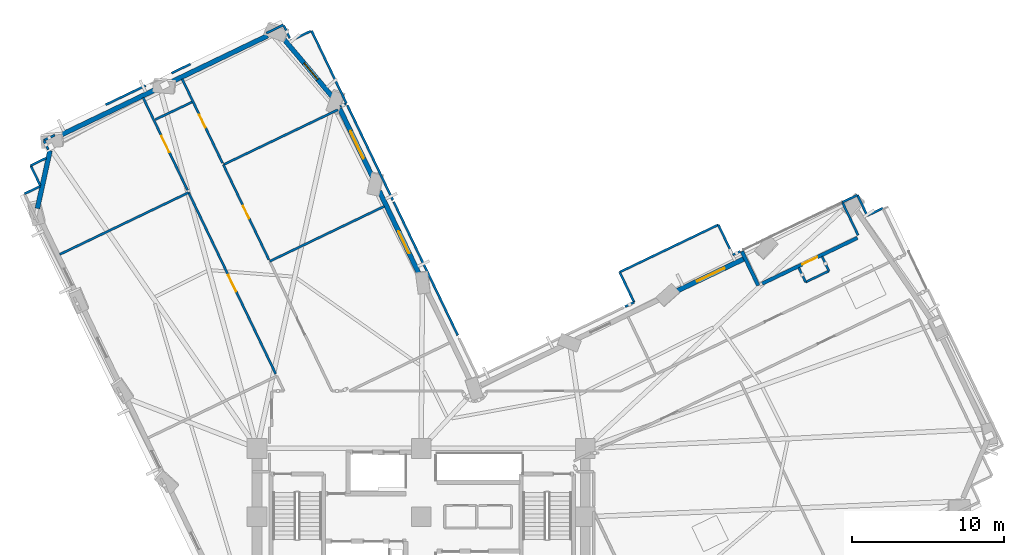
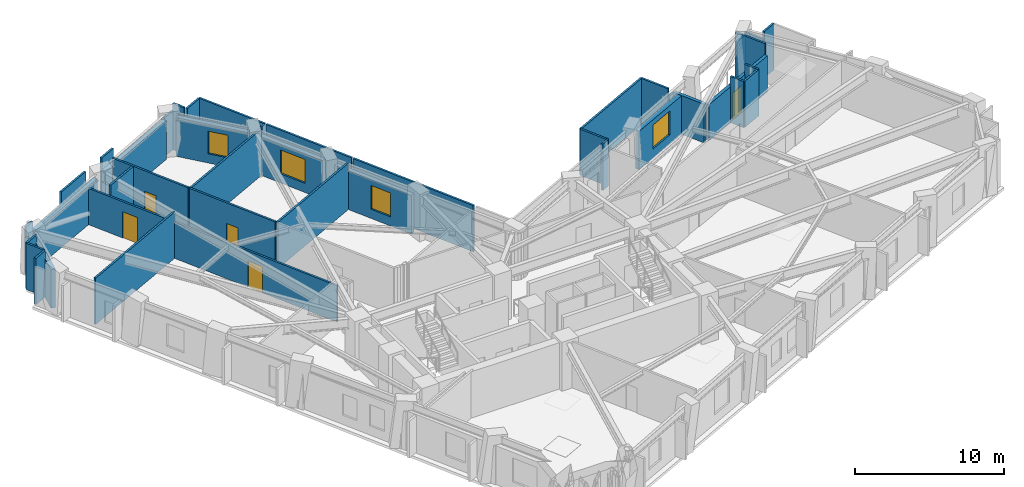
# One storey, part 10 of 16: 43 walls, 5 doors, 4 windows, 9 openings.
"""IFC4 building model written with IfcOpenShell, lengths in metres."""

from ifc_helpers import new_model, si_unit, direction, frame, frame_2d, origin, place, context, subcontext, project, spatial, rectangle, extrude, material, layer, layer_set, type_object, element, fill, save


model = new_model("IFC4")

# Units and contexts
model_context = context("Model", 3, precision=1e-05, world=origin(), true_north=direction((0.0, 1.0)))
body_context = subcontext(model_context, "Body", "Model", "MODEL_VIEW")
ifc_project = project(units=[si_unit("LENGTHUNIT", "METRE"), si_unit("AREAUNIT", "SQUARE_METRE"), si_unit("VOLUMEUNIT", "CUBIC_METRE"), si_unit("PLANEANGLEUNIT", "RADIAN"), si_unit("MASSUNIT", "GRAM", prefix="KILO")], contexts=[model_context])

# Site, building, storey
site_placement = place(None, origin())
site = spatial("IfcSite", under=ifc_project, at=site_placement, CompositionType="ELEMENT")
building_placement = place(site_placement, origin())
building = spatial("IfcBuilding", under=site, at=building_placement, Name="Gaonmaruhae Medical Tower", CompositionType="ELEMENT")
storey_placement = place(building_placement, frame((0.0, 0.0, 132.39990234375)))
storey = spatial("IfcBuildingStorey", under=building, at=storey_placement, Name="L31", CompositionType="ELEMENT", Elevation=132.39990234375)

# Wall, opening, door
ifc_material_1 = material(Name="Precast concrete C45/55", Category="concrete")
ifc_layer_1 = layer(ifc_material_1, 0.239990234375)
ifc_layer_set_1 = layer_set([ifc_layer_1], Name="Precast concrete C45/55")
wall_type_1 = type_object("IfcWallType", Name="EW-240 Ribbon & Shelter Insulated Precast Wall", PredefinedType="SOLIDWALL", material=ifc_layer_set_1)
wall_1_placement = place(storey_placement, frame((47.2333984375, 27.6416015625, 0.0), z_axis=(0.0, 0.0, 1.0), x_axis=(0.901461742276, 0.432858784376, 0.0)))
wall_1 = element("IfcWall", 1, at=wall_1_placement, inside=storey, type_object=wall_type_1, Name="L31 Recessed Terrace Enclosure Wall TERB", PredefinedType="SOLIDWALL", context=body_context, shape_type="SweptSolid", body=[
    extrude(rectangle(XDim=6.9599609375, YDim=0.239990234375, at=frame_2d((3.47998046875, 0.0))), origin(), (0.0, 0.0, 1.0), 2.945068359375),
])
opening_1_placement = place(wall_1_placement, frame((2.929931640625, 0.0, 0.0)))
opening_1 = element("IfcOpeningElement", 2, at=opening_1_placement, cuts=wall_1, Name="Opening TD-01", PredefinedType="OPENING", context=body_context, shape_type="SweptSolid", body=[
    extrude(rectangle(XDim=1.10009765625, YDim=2.14990234375, at=frame_2d((0.550048828125, 1.074951171875))), frame((0.0, 0.1298828125, 0.0), z_axis=(0.0, -1.0, 0.0), x_axis=(1.0, 0.0, 0.0)), (0.0, 0.0, 1.0), 0.260009765625),
])
ifc_material_2 = material(Name="Anodised aluminium and toughened safety glass", Category="aluminium")
door_type_1 = type_object("IfcDoorType", Name="TD-01 Terrace & Sky Garden Glazed Door 1100x2150", OperationType="NOTDEFINED", PredefinedType="DOOR", material=ifc_material_2)
door_1_placement = place(opening_1_placement, origin())
door_1 = element("IfcDoor", 3, at=door_1_placement, inside=storey, type_object=door_type_1, Name="L31 Outdoor Terrace Access Door SLB-L31-TER", OperationType="SINGLE_SWING_LEFT", OverallHeight=2.14990234375, OverallWidth=1.10009765625, PredefinedType="DOOR", context=body_context, shape_type="SweptSolid", body=[
    extrude(rectangle(XDim=1.10009765625, YDim=2.14990234375, at=frame_2d((0.550048828125, 1.074951171875))), frame((0.0, 0.02490234375, 0.0), z_axis=(0.0, -1.0, 0.0), x_axis=(1.0, 0.0, 0.0)), (0.0, 0.0, 1.0), 0.050048828125),
])
fill(opening_1, door_1)

# Wall
wall_2_placement = place(storey_placement, frame((45.89892578125, 29.77392578125, 0.0), z_axis=(0.0, 0.0, 1.0), x_axis=(0.432937429984, -0.901423974453, 0.0)))
element("IfcWall", 4, at=wall_2_placement, inside=storey, type_object=wall_type_1, Name="L31 Recessed Terrace Enclosure Wall TERL", PredefinedType="SOLIDWALL", context=body_context, shape_type="SweptSolid", body=[
    extrude(rectangle(XDim=2.499755859375, YDim=0.239990234375, at=frame_2d((1.25, 0.0))), origin(), (0.0, 0.0, 1.0), 3.1650390625),
])

# Wall, opening, window
ifc_layer_2 = layer(ifc_material_1, 0.320068359375)
ifc_layer_set_2 = layer_set([ifc_layer_2], Name="Precast concrete C45/55")
wall_type_2 = type_object("IfcWallType", Name="EW-320 Lower Precast Masonry-Frame Facade Wall", PredefinedType="SOLIDWALL", material=ifc_layer_set_2)
wall_3_placement = place(storey_placement, frame((41.48876953125, 27.090576171875, 0.0), z_axis=(0.0, 0.0, 1.0), x_axis=(0.901450827028, 0.432881515488, 0.0)))
wall_3 = element("IfcWall", 5, at=wall_3_placement, inside=storey, type_object=wall_type_2, Name="L31 Precast Masonry-Frame Wall EN01-EN02", PredefinedType="SOLIDWALL", context=body_context, shape_type="SweptSolid", body=[
    extrude(rectangle(XDim=5.1171875, YDim=0.320068359375, at=frame_2d((2.55859375, 0.0))), origin(), (0.0, 0.0, 1.0), 3.14501953125),
])
opening_2_placement = place(wall_3_placement, frame((1.634521484375, 0.0, 0.75)))
opening_2 = element("IfcOpeningElement", 6, at=opening_2_placement, cuts=wall_3, Name="Opening WN-02", PredefinedType="OPENING", context=body_context, shape_type="SweptSolid", body=[
    extrude(rectangle(XDim=2.0, YDim=1.949951171875, at=frame_2d((1.0, 0.97509765625))), frame((0.0, 0.169921875, 0.0), z_axis=(0.0, -1.0, 0.0), x_axis=(1.0, 0.0, 0.0)), (0.0, 0.0, 1.0), 0.340087890625),
])
ifc_material_3 = material(Name="Anodised aluminium and Low-E double glazing", Category="aluminium")
window_type_1 = type_object("IfcWindowType", Name="WN-02 Double-Bed Ward Punched Window 2000x1950", PartitioningType="SINGLE_PANEL", PredefinedType="WINDOW", material=ifc_material_3)
window_1_placement = place(opening_2_placement, origin())
window_1 = element("IfcWindow", 7, at=window_1_placement, inside=storey, type_object=window_type_1, Name="L31 Modular Facade Window EN01", OverallHeight=1.949951171875, OverallWidth=2.0, PartitioningType="SINGLE_PANEL", PredefinedType="WINDOW", context=body_context, shape_type="SweptSolid", body=[
    extrude(rectangle(XDim=2.0, YDim=1.949951171875, at=frame_2d((1.0, 0.97509765625))), frame((0.0, 0.030029296875, 0.0), z_axis=(0.0, -1.0, 0.0), x_axis=(1.0, 0.0, 0.0)), (0.0, 0.0, 1.0), 0.06005859375),
])
fill(opening_2, window_1)

wall_4_placement = place(storey_placement, frame((22.04150390625, 33.739013671875, 0.0), z_axis=(0.0, 0.0, 1.0), x_axis=(0.432859884789, -0.901461213886, 0.0)))
wall_4 = element("IfcWall", 8, at=wall_4_placement, inside=storey, type_object=wall_type_2, Name="L31 Precast Masonry-Frame Wall NE01-NE02", PredefinedType="SOLIDWALL", context=body_context, shape_type="SweptSolid", body=[
    extrude(rectangle(XDim=6.222900390625, YDim=0.320068359375, at=frame_2d((3.111328125, 0.0))), origin(), (0.0, 0.0, 1.0), 3.1650390625),
])
opening_3_placement = place(wall_4_placement, frame((2.94140625, 0.0, 0.75)))
opening_3 = element("IfcOpeningElement", 9, at=opening_3_placement, cuts=wall_4, Name="Opening WN-01", PredefinedType="OPENING", context=body_context, shape_type="SweptSolid", body=[
    extrude(rectangle(XDim=1.60009765625, YDim=1.949951171875, at=frame_2d((0.800048828125, 0.97509765625))), frame((0.0, 0.169921875, 0.0), z_axis=(0.0, -1.0, 0.0), x_axis=(1.0, 0.0, 0.0)), (0.0, 0.0, 1.0), 0.340087890625),
])
window_type_2 = type_object("IfcWindowType", Name="WN-01 Ward Punched Acoustic Window 1600x1950", PartitioningType="SINGLE_PANEL", PredefinedType="WINDOW", material=ifc_material_3)
window_2_placement = place(opening_3_placement, origin())
window_2 = element("IfcWindow", 10, at=window_2_placement, inside=storey, type_object=window_type_2, Name="L31 Modular Facade Window NE01", OverallHeight=1.949951171875, OverallWidth=1.60009765625, PartitioningType="SINGLE_PANEL", PredefinedType="WINDOW", context=body_context, shape_type="SweptSolid", body=[
    extrude(rectangle(XDim=1.60009765625, YDim=1.949951171875, at=frame_2d((0.800048828125, 0.97509765625))), frame((0.0, 0.030029296875, 0.0), z_axis=(0.0, -1.0, 0.0), x_axis=(1.0, 0.0, 0.0)), (0.0, 0.0, 1.0), 0.06005859375),
])
fill(opening_3, window_2)

wall_5_placement = place(storey_placement, frame((19.438232421875, 39.16015625, 0.0), z_axis=(0.0, 0.0, 1.0), x_axis=(0.432877308879, -0.901452847052, 0.0)))
wall_5 = element("IfcWall", 11, at=wall_5_placement, inside=storey, type_object=wall_type_2, Name="L31 Precast Masonry-Frame Wall NE02-NE03", PredefinedType="SOLIDWALL", context=body_context, shape_type="SweptSolid", body=[
    extrude(rectangle(XDim=5.047119140625, YDim=0.320068359375, at=frame_2d((2.5234375, 0.0))), origin(), (0.0, 0.0, 1.0), 3.1650390625),
])
opening_4_placement = place(wall_5_placement, frame((1.633056640625, 0.0, 0.75)))
opening_4 = element("IfcOpeningElement", 12, at=opening_4_placement, cuts=wall_5, Name="Opening WN-02", PredefinedType="OPENING", context=body_context, shape_type="SweptSolid", body=[
    extrude(rectangle(XDim=2.0, YDim=1.949951171875, at=frame_2d((1.0, 0.97509765625))), frame((0.0, 0.169921875, 0.0), z_axis=(0.0, -1.0, 0.0), x_axis=(1.0, 0.0, 0.0)), (0.0, 0.0, 1.0), 0.340087890625),
])
window_3_placement = place(opening_4_placement, origin())
window_3 = element("IfcWindow", 13, at=window_3_placement, inside=storey, type_object=window_type_1, Name="L31 Modular Facade Window NE02", OverallHeight=1.949951171875, OverallWidth=2.0, PartitioningType="SINGLE_PANEL", PredefinedType="WINDOW", context=body_context, shape_type="SweptSolid", body=[
    extrude(rectangle(XDim=2.0, YDim=1.949951171875, at=frame_2d((1.0, 0.97509765625))), frame((0.0, 0.030029296875, 0.0), z_axis=(0.0, -1.0, 0.0), x_axis=(1.0, 0.0, 0.0)), (0.0, 0.0, 1.0), 0.06005859375),
])
fill(opening_4, window_3)

wall_6_placement = place(storey_placement, frame((15.62158203125, 43.906494140625, 0.0), z_axis=(0.0, 0.0, 1.0), x_axis=(0.64320883209, -0.765690798117, 0.0)))
wall_6 = element("IfcWall", 14, at=wall_6_placement, inside=storey, type_object=wall_type_2, Name="L31 Precast Masonry-Frame Wall NE03-N01", PredefinedType="SOLIDWALL", context=body_context, shape_type="SweptSolid", body=[
    extrude(rectangle(XDim=5.128662109375, YDim=0.320068359375, at=frame_2d((2.564453125, 0.0))), origin(), (0.0, 0.0, 1.0), 3.1650390625),
])
opening_5_placement = place(wall_6_placement, frame((2.29345703125, 0.0, 0.75)))
opening_5 = element("IfcOpeningElement", 15, at=opening_5_placement, cuts=wall_6, Name="Opening WN-03", PredefinedType="OPENING", context=body_context, shape_type="SweptSolid", body=[
    extrude(rectangle(XDim=1.39990234375, YDim=1.85009765625, at=frame_2d((0.699951171875, 0.925048828125))), frame((0.0, 0.169921875, 0.0), z_axis=(0.0, -1.0, 0.0), x_axis=(1.0, 0.0, 0.0)), (0.0, 0.0, 1.0), 0.340087890625),
])
window_type_3 = type_object("IfcWindowType", Name="WN-03 Isolation Ward Punched Window 1400x1850", PartitioningType="SINGLE_PANEL", PredefinedType="WINDOW", material=ifc_material_3)
window_4_placement = place(opening_5_placement, origin())
window_4 = element("IfcWindow", 16, at=window_4_placement, inside=storey, type_object=window_type_3, Name="L31 Modular Facade Window NE03", OverallHeight=1.85009765625, OverallWidth=1.39990234375, PartitioningType="SINGLE_PANEL", PredefinedType="WINDOW", context=body_context, shape_type="SweptSolid", body=[
    extrude(rectangle(XDim=1.39990234375, YDim=1.85009765625, at=frame_2d((0.699951171875, 0.925048828125))), frame((0.0, 0.030029296875, 0.0), z_axis=(0.0, -1.0, 0.0), x_axis=(1.0, 0.0, 0.0)), (0.0, 0.0, 1.0), 0.06005859375),
])
fill(opening_5, window_4)

# Walls
wall_7_placement = place(storey_placement, frame((8.175537109375, 40.823486328125, 0.0), z_axis=(0.0, 0.0, 1.0), x_axis=(0.901450863986, 0.432881438524, 0.0)))
element("IfcWall", 17, at=wall_7_placement, inside=storey, type_object=wall_type_2, Name="L31 Precast Masonry-Frame Wall N01-N02", PredefinedType="SOLIDWALL", context=body_context, shape_type="SweptSolid", body=[
    extrude(rectangle(XDim=7.23095703125, YDim=0.320068359375, at=frame_2d((3.615478515625, 0.0))), origin(), (0.0, 0.0, 1.0), 3.1650390625),
])
wall_8_placement = place(storey_placement, frame((0.76171875, 37.263427734375, 0.0), z_axis=(0.0, 0.0, 1.0), x_axis=(0.901459116329, 0.432864253072, 0.0)))
element("IfcWall", 18, at=wall_8_placement, inside=storey, type_object=wall_type_2, Name="L31 Precast Masonry-Frame Wall N02-N03", PredefinedType="SOLIDWALL", context=body_context, shape_type="SweptSolid", body=[
    extrude(rectangle(XDim=7.27001953125, YDim=0.320068359375, at=frame_2d((3.635009765625, 0.0))), origin(), (0.0, 0.0, 1.0), 3.1650390625),
])
wall_9_placement = place(storey_placement, frame((-0.451171875, 32.591064453125, 0.0), z_axis=(0.0, 0.0, 1.0), x_axis=(0.212661566616, 0.977125917211, 0.0)))
element("IfcWall", 19, at=wall_9_placement, inside=storey, type_object=wall_type_2, Name="L31 Precast Masonry-Frame Wall N03-W01", PredefinedType="SOLIDWALL", context=body_context, shape_type="SweptSolid", body=[
    extrude(rectangle(XDim=3.889404296875, YDim=0.320068359375, at=frame_2d((1.94482421875, 0.0))), origin(), (0.0, 0.0, 1.0), 3.1650390625),
])
ifc_material_4 = material(Name="Gypsum board partition", Category="gypsum")
ifc_layer_3 = layer(ifc_material_4, 0.14990234375)
ifc_layer_set_3 = layer_set([ifc_layer_3], Name="Gypsum board partition")
wall_type_3 = type_object("IfcWallType", Name="PW-150 Rated Clinical Corridor Partition", PredefinedType="PARTITIONING", material=ifc_layer_set_3)
wall_10_placement = place(storey_placement, frame((1.011962890625, 29.56298828125, 0.0), z_axis=(0.0, 0.0, 1.0), x_axis=(0.901474897233, 0.432831387099, 0.0)))
element("IfcWall", 20, at=wall_10_placement, inside=storey, type_object=wall_type_3, Name="L31 Interior Partition L31-WOF06-48", PredefinedType="PARTITIONING", context=body_context, shape_type="SweptSolid", body=[
    extrude(rectangle(XDim=9.41455078125, YDim=0.14990234375, at=frame_2d((4.707275390625, 0.0))), origin(), (0.0, 0.0, 1.0), 3.780029296875),
])

# Wall, opening, door
wall_11_placement = place(storey_placement, frame((9.4990234375, 33.637939453125, 0.0), z_axis=(0.0, 0.0, 1.0), x_axis=(0.432861750003, -0.901460318253, 0.0)))
wall_11 = element("IfcWall", 21, at=wall_11_placement, inside=storey, type_object=wall_type_3, Name="L31 Interior Partition L31-WOF06-49", PredefinedType="PARTITIONING", context=body_context, shape_type="SweptSolid", body=[
    extrude(rectangle(XDim=13.23974609375, YDim=0.14990234375, at=frame_2d((6.619873046875, 0.0))), origin(), (0.0, 0.0, 1.0), 2.965087890625),
])
opening_6_placement = place(wall_11_placement, frame((6.019775390625, 0.0, 0.0)))
opening_6 = element("IfcOpeningElement", 22, at=opening_6_placement, cuts=wall_11, Name="Opening CD-02", PredefinedType="OPENING", context=body_context, shape_type="SweptSolid", body=[
    extrude(rectangle(XDim=1.199951171875, YDim=2.14990234375, at=frame_2d((0.60009765625, 1.074951171875))), frame((0.0, 0.0849609375, 0.0), z_axis=(0.0, -1.0, 0.0), x_axis=(1.0, 0.0, 0.0)), (0.0, 0.0, 1.0), 0.169921875),
])
ifc_material_5 = material(Name="Antimicrobial laminate timber fire door", Category="wood")
door_type_2 = type_object("IfcDoorType", Name="CD-02 Clinical Treatment & Procedure Door 1200x2150", OperationType="NOTDEFINED", PredefinedType="DOOR", material=ifc_material_5)
door_2_placement = place(opening_6_placement, origin())
door_2 = element("IfcDoor", 23, at=door_2_placement, inside=storey, type_object=door_type_2, Name="L31 Ward Physician Reporting Office Door", OperationType="SINGLE_SWING_LEFT", OverallHeight=2.14990234375, OverallWidth=1.199951171875, PredefinedType="DOOR", context=body_context, shape_type="SweptSolid", body=[
    extrude(rectangle(XDim=1.199951171875, YDim=2.14990234375, at=frame_2d((0.60009765625, 1.074951171875))), frame((0.0, 0.02490234375, 0.0), z_axis=(0.0, -1.0, 0.0), x_axis=(1.0, 0.0, 0.0)), (0.0, 0.0, 1.0), 0.050048828125),
])
fill(opening_6, door_2)

# Walls
wall_12_placement = place(storey_placement, frame((-0.89404296875, 35.4150390625, 0.0), z_axis=(0.0, 0.0, 1.0), x_axis=(0.901553151805, 0.432668365461, 0.0)))
element("IfcWall", 24, at=wall_12_placement, inside=storey, type_object=wall_type_3, Name="L31 Interior Partition L31-WOF07-52", PredefinedType="PARTITIONING", context=body_context, shape_type="SweptSolid", body=[
    extrude(rectangle(XDim=1.13916015625, YDim=0.14990234375, at=frame_2d((0.569580078125, 0.0))), origin(), (0.0, 0.0, 1.0), 3.780029296875),
])
wall_13_placement = place(storey_placement, frame((0.263916015625, 36.467041015625, 0.0), z_axis=(0.0, 0.0, 1.0), x_axis=(-0.432919972464, 0.901432358772, 0.0)))
element("IfcWall", 25, at=wall_13_placement, inside=storey, type_object=wall_type_3, Name="L31 Interior Partition L31-WOF07-53", PredefinedType="PARTITIONING", context=body_context, shape_type="SweptSolid", body=[
    extrude(rectangle(XDim=0.672119140625, YDim=0.14990234375, at=frame_2d((0.3359375, 0.0))), origin(), (0.0, 0.0, 1.0), 2.965087890625),
])
wall_14_placement = place(storey_placement, frame((-0.027099609375, 37.072998046875, 0.0), z_axis=(0.0, 0.0, 1.0), x_axis=(0.901633510565, 0.432500881647, 0.0)))
element("IfcWall", 26, at=wall_14_placement, inside=storey, type_object=wall_type_3, Name="L31 Interior Partition L31-WOF07-54", PredefinedType="PARTITIONING", context=body_context, shape_type="SweptSolid", body=[
    extrude(rectangle(XDim=0.793212890625, YDim=0.14990234375, at=frame_2d((0.396484375, 0.0))), origin(), (0.0, 0.0, 1.0), 3.780029296875),
])

# Wall, opening, door
wall_15_placement = place(storey_placement, frame((6.506103515625, 39.8720703125, 0.0), z_axis=(0.0, 0.0, 1.0), x_axis=(0.432857966053, -0.901462135214, 0.0)))
wall_15 = element("IfcWall", 27, at=wall_15_placement, inside=storey, type_object=wall_type_3, Name="L31 Interior Partition L31-WOF07-55", PredefinedType="PARTITIONING", context=body_context, shape_type="SweptSolid", body=[
    extrude(rectangle(XDim=6.754638671875, YDim=0.14990234375, at=frame_2d((3.37744140625, 0.0))), origin(), (0.0, 0.0, 1.0), 2.965087890625),
])
opening_7_placement = place(wall_15_placement, frame((2.77734375, 0.0, 0.0)))
opening_7 = element("IfcOpeningElement", 28, at=opening_7_placement, cuts=wall_15, Name="Opening CD-02", PredefinedType="OPENING", context=body_context, shape_type="SweptSolid", body=[
    extrude(rectangle(XDim=1.199951171875, YDim=2.14990234375, at=frame_2d((0.60009765625, 1.074951171875))), frame((0.0, 0.0849609375, 0.0), z_axis=(0.0, -1.0, 0.0), x_axis=(1.0, 0.0, 0.0)), (0.0, 0.0, 1.0), 0.169921875),
])
door_3_placement = place(opening_7_placement, origin())
door_3 = element("IfcDoor", 29, at=door_3_placement, inside=storey, type_object=door_type_2, Name="L31 Ward Physician Reporting Office Door", OperationType="SINGLE_SWING_LEFT", OverallHeight=2.14990234375, OverallWidth=1.199951171875, PredefinedType="DOOR", context=body_context, shape_type="SweptSolid", body=[
    extrude(rectangle(XDim=1.199951171875, YDim=2.14990234375, at=frame_2d((0.60009765625, 1.074951171875))), frame((0.0, 0.02490234375, 0.0), z_axis=(0.0, -1.0, 0.0), x_axis=(1.0, 0.0, 0.0)), (0.0, 0.0, 1.0), 0.050048828125),
])
fill(opening_7, door_3)

# Walls
wall_16_placement = place(storey_placement, frame((-1.30810546875, 33.552001953125, 0.0), z_axis=(0.0, 0.0, 1.0), x_axis=(0.901615860476, 0.432537674819, 0.0)))
element("IfcWall", 30, at=wall_16_placement, inside=storey, type_object=wall_type_3, Name="L31 Interior Partition L31-WOF07-57", PredefinedType="PARTITIONING", context=body_context, shape_type="SweptSolid", body=[
    extrude(rectangle(XDim=1.149169921875, YDim=0.14990234375, at=frame_2d((0.57470703125, 0.0))), origin(), (0.0, 0.0, 1.0), 3.780029296875),
])
wall_17_placement = place(storey_placement, frame((-0.261962890625, 34.096923828125, 0.0), z_axis=(0.0, 0.0, 1.0), x_axis=(-0.432388980773, 0.901687179295, 0.0)))
element("IfcWall", 31, at=wall_17_placement, inside=storey, type_object=wall_type_3, Name="L31 Interior Partition L31-WOF07-58", PredefinedType="PARTITIONING", context=body_context, shape_type="SweptSolid", body=[
    extrude(rectangle(XDim=1.4619140625, YDim=0.14990234375, at=frame_2d((0.73095703125, 0.0))), origin(), (0.0, 0.0, 1.0), 3.780029296875),
])
wall_18_placement = place(storey_placement, frame((44.35205078125, 31.51611328125, 0.0), z_axis=(0.0, 0.0, 1.0), x_axis=(0.433088163872, -0.901351564216, 0.0)))
element("IfcWall", 32, at=wall_18_placement, inside=storey, type_object=wall_type_3, Name="L31 Interior Partition L31-IE02-70", PredefinedType="PARTITIONING", context=body_context, shape_type="SweptSolid", body=[
    extrude(rectangle(XDim=2.2001953125, YDim=0.14990234375, at=frame_2d((1.10009765625, 0.0))), origin(), (0.0, 0.0, 1.0), 3.780029296875),
])
wall_19_placement = place(storey_placement, frame((45.304931640625, 29.532958984375, 0.0), z_axis=(0.0, 0.0, 1.0), x_axis=(0.901887660822, 0.43197065555, 0.0)))
element("IfcWall", 33, at=wall_19_placement, inside=storey, type_object=wall_type_3, Name="L31 Interior Partition L31-IE02-71", PredefinedType="PARTITIONING", context=body_context, shape_type="SweptSolid", body=[
    extrude(rectangle(XDim=0.55322265625, YDim=0.14990234375, at=frame_2d((0.276611328125, 0.0))), origin(), (0.0, 0.0, 1.0), 3.14501953125),
])
wall_20_placement = place(storey_placement, frame((49.64599609375, 28.694091796875, 0.0), z_axis=(0.0, 0.0, 1.0), x_axis=(0.432339766945, -0.901710777311, 0.0)))
element("IfcWall", 34, at=wall_20_placement, inside=storey, type_object=wall_type_3, Name="L31 Interior Partition L31-IE02-72", PredefinedType="PARTITIONING", context=body_context, shape_type="SweptSolid", body=[
    extrude(rectangle(XDim=1.054931640625, YDim=0.14990234375, at=frame_2d((0.52734375, 0.0))), origin(), (0.0, 0.0, 1.0), 3.780029296875),
])
wall_21_placement = place(storey_placement, frame((50.10205078125, 27.742919921875, 0.0), z_axis=(0.0, 0.0, 1.0), x_axis=(0.901462559733, 0.432857081955, 0.0)))
element("IfcWall", 35, at=wall_21_placement, inside=storey, type_object=wall_type_3, Name="L31 Interior Partition L31-IE02-73", PredefinedType="PARTITIONING", context=body_context, shape_type="SweptSolid", body=[
    extrude(rectangle(XDim=1.700439453125, YDim=0.14990234375, at=frame_2d((0.85009765625, 0.0))), origin(), (0.0, 0.0, 1.0), 3.780029296875),
])
wall_22_placement = place(storey_placement, frame((51.635009765625, 28.47900390625, 0.0), z_axis=(0.0, 0.0, 1.0), x_axis=(-0.433182380404, 0.901306288288, 0.0)))
element("IfcWall", 36, at=wall_22_placement, inside=storey, type_object=wall_type_3, Name="L31 Interior Partition L31-IE02-74", PredefinedType="PARTITIONING", context=body_context, shape_type="SweptSolid", body=[
    extrude(rectangle(XDim=1.05517578125, YDim=0.14990234375, at=frame_2d((0.527587890625, 0.0))), origin(), (0.0, 0.0, 1.0), 3.780029296875),
])
wall_23_placement = place(storey_placement, frame((53.554931640625, 30.8330078125, 0.0), z_axis=(0.0, 0.0, 1.0), x_axis=(-0.432912977498, 0.901435718126, 0.0)))
element("IfcWall", 37, at=wall_23_placement, inside=storey, type_object=wall_type_3, Name="L31 Interior Partition L31-IE02-75", PredefinedType="PARTITIONING", context=body_context, shape_type="SweptSolid", body=[
    extrude(rectangle(XDim=2.399658203125, YDim=0.14990234375, at=frame_2d((1.19970703125, 0.0))), origin(), (0.0, 0.0, 1.0), 3.780029296875),
])
wall_24_placement = place(storey_placement, frame((52.51611328125, 32.99609375, 0.0), z_axis=(0.0, 0.0, 1.0), x_axis=(0.901630378805, 0.43250741036, 0.0)))
element("IfcWall", 38, at=wall_24_placement, inside=storey, type_object=wall_type_3, Name="L31 Interior Partition L31-IE02-76", PredefinedType="PARTITIONING", context=body_context, shape_type="SweptSolid", body=[
    extrude(rectangle(XDim=1.10009765625, YDim=0.14990234375, at=frame_2d((0.550048828125, 0.0))), origin(), (0.0, 0.0, 1.0), 2.945068359375),
])
wall_25_placement = place(storey_placement, frame((53.508056640625, 33.471923828125, 0.0), z_axis=(0.0, 0.0, 1.0), x_axis=(0.43276282581, -0.901507812832, 0.0)))
element("IfcWall", 39, at=wall_25_placement, inside=storey, type_object=wall_type_3, Name="L31 Interior Partition L31-IE02-77", PredefinedType="PARTITIONING", context=body_context, shape_type="SweptSolid", body=[
    extrude(rectangle(XDim=1.49951171875, YDim=0.14990234375, at=frame_2d((0.749755859375, 0.0))), origin(), (0.0, 0.0, 1.0), 3.1650390625),
])
wall_26_placement = place(storey_placement, frame((54.156982421875, 32.1201171875, 0.0), z_axis=(0.0, 0.0, 1.0), x_axis=(0.901713434214, 0.432334225523, 0.0)))
element("IfcWall", 40, at=wall_26_placement, inside=storey, type_object=wall_type_3, Name="L31 Interior Partition L31-IE02-78", PredefinedType="PARTITIONING", context=body_context, shape_type="SweptSolid", body=[
    extrude(rectangle(XDim=1.14013671875, YDim=0.14990234375, at=frame_2d((0.570068359375, 0.0))), origin(), (0.0, 0.0, 1.0), 3.780029296875),
])
wall_27_placement = place(storey_placement, frame((38.222900390625, 26.132080078125, 0.0), z_axis=(0.0, 0.0, 1.0), x_axis=(0.901389385584, 0.433009440493, 0.0)))
element("IfcWall", 41, at=wall_27_placement, inside=storey, type_object=wall_type_3, Name="L31 Interior Partition L31-IE02-82", PredefinedType="PARTITIONING", context=body_context, shape_type="SweptSolid", body=[
    extrude(rectangle(XDim=0.65576171875, YDim=0.14990234375, at=frame_2d((0.327880859375, 0.0))), origin(), (0.0, 0.0, 1.0), 3.780029296875),
])
wall_28_placement = place(storey_placement, frame((38.81396484375, 26.416015625, 0.0), z_axis=(0.0, 0.0, 1.0), x_axis=(-0.432597604334, 0.901587107674, 0.0)))
element("IfcWall", 42, at=wall_28_placement, inside=storey, type_object=wall_type_3, Name="L31 Interior Partition L31-IE02-83", PredefinedType="PARTITIONING", context=body_context, shape_type="SweptSolid", body=[
    extrude(rectangle(XDim=2.200439453125, YDim=0.14990234375, at=frame_2d((1.10009765625, 0.0))), origin(), (0.0, 0.0, 1.0), 3.780029296875),
])
wall_29_placement = place(storey_placement, frame((37.862060546875, 28.39990234375, 0.0), z_axis=(0.0, 0.0, 1.0), x_axis=(0.901468015734, 0.432845719175, 0.0)))
element("IfcWall", 43, at=wall_29_placement, inside=storey, type_object=wall_type_3, Name="L31 Interior Partition L31-IE02-84", PredefinedType="PARTITIONING", context=body_context, shape_type="SweptSolid", body=[
    extrude(rectangle(XDim=7.199462890625, YDim=0.14990234375, at=frame_2d((3.599609375, 0.0))), origin(), (0.0, 0.0, 1.0), 3.780029296875),
])
wall_30_placement = place(storey_placement, frame((14.833984375, 29.112060546875, 0.0), z_axis=(0.0, 0.0, 1.0), x_axis=(0.901468854951, 0.432843971373, 0.0)))
element("IfcWall", 44, at=wall_30_placement, inside=storey, type_object=wall_type_3, Name="L31 Interior Partition L31-IN01-87", PredefinedType="PARTITIONING", context=body_context, shape_type="SweptSolid", body=[
    extrude(rectangle(XDim=8.365234375, YDim=0.14990234375, at=frame_2d((4.1826171875, 0.0))), origin(), (0.0, 0.0, 1.0), 3.780029296875),
])
wall_31_placement = place(storey_placement, frame((22.991943359375, 33.029052734375, 0.0), z_axis=(0.0, 0.0, 1.0), x_axis=(0.432914217611, -0.901435122563, 0.0)))
element("IfcWall", 45, at=wall_31_placement, inside=storey, type_object=wall_type_3, Name="L31 Interior Partition L31-IN01-88", PredefinedType="PARTITIONING", context=body_context, shape_type="SweptSolid", body=[
    extrude(rectangle(XDim=9.75, YDim=0.14990234375, at=frame_2d((4.875, 0.0))), origin(), (0.0, 0.0, 1.0), 3.780029296875),
])

# Wall, opening, door
wall_32_placement = place(storey_placement, frame((14.781982421875, 29.219970703125, 0.0), z_axis=(0.0, 0.0, 1.0), x_axis=(-0.432781462807, 0.901498866029, 0.0)))
wall_32 = element("IfcWall", 46, at=wall_32_placement, inside=storey, type_object=wall_type_3, Name="L31 Interior Partition L31-IN02-90", PredefinedType="PARTITIONING", context=body_context, shape_type="SweptSolid", body=[
    extrude(rectangle(XDim=6.9296875, YDim=0.14990234375, at=frame_2d((3.46484375, 0.0))), origin(), (0.0, 0.0, 1.0), 3.780029296875),
])
opening_8_placement = place(wall_32_placement, frame((3.0048828125, 0.0, 0.0)))
opening_8 = element("IfcOpeningElement", 47, at=opening_8_placement, cuts=wall_32, Name="Opening UD-01", PredefinedType="OPENING", context=body_context, shape_type="SweptSolid", body=[
    extrude(rectangle(XDim=0.919921875, YDim=2.10009765625, at=frame_2d((0.4599609375, 1.050048828125))), frame((0.0, 0.0849609375, 0.0), z_axis=(0.0, -1.0, 0.0), x_axis=(1.0, 0.0, 0.0)), (0.0, 0.0, 1.0), 0.169921875),
])
ifc_material_6 = material(Name="Powder-coated steel utility door", Category="steel")
door_type_3 = type_object("IfcDoorType", Name="UD-01 Toilet, Utility & Housekeeping Door 920x2100", OperationType="NOTDEFINED", PredefinedType="DOOR", material=ifc_material_6)
door_4_placement = place(opening_8_placement, origin())
door_4 = element("IfcDoor", 48, at=door_4_placement, inside=storey, type_object=door_type_3, Name="L31 Ward Nutrition Pantry Door", OperationType="SINGLE_SWING_RIGHT", OverallHeight=2.10009765625, OverallWidth=0.919921875, PredefinedType="DOOR", context=body_context, shape_type="SweptSolid", body=[
    extrude(rectangle(XDim=0.919921875, YDim=2.10009765625, at=frame_2d((0.4599609375, 1.050048828125))), frame((0.0, 0.02490234375, 0.0), z_axis=(0.0, -1.0, 0.0), x_axis=(1.0, 0.0, 0.0)), (0.0, 0.0, 1.0), 0.050048828125),
])
fill(opening_8, door_4)

# Walls
wall_33_placement = place(storey_placement, frame((11.782958984375, 35.467041015625, 0.0), z_axis=(0.0, 0.0, 1.0), x_axis=(0.901492537069, 0.432794646002, 0.0)))
element("IfcWall", 49, at=wall_33_placement, inside=storey, type_object=wall_type_3, Name="L31 Interior Partition L31-IN02-91", PredefinedType="PARTITIONING", context=body_context, shape_type="SweptSolid", body=[
    extrude(rectangle(XDim=8.364013671875, YDim=0.14990234375, at=frame_2d((4.18212890625, 0.0))), origin(), (0.0, 0.0, 1.0), 3.780029296875),
])
wall_34_placement = place(storey_placement, frame((19.94091796875, 39.384033203125, 0.0), z_axis=(0.0, 0.0, 1.0), x_axis=(0.432895982314, -0.901443879838, 0.0)))
element("IfcWall", 50, at=wall_34_placement, inside=storey, type_object=wall_type_3, Name="L31 Interior Partition L31-IN02-92", PredefinedType="PARTITIONING", context=body_context, shape_type="SweptSolid", body=[
    extrude(rectangle(XDim=6.93017578125, YDim=0.14990234375, at=frame_2d((3.465087890625, 0.0))), origin(), (0.0, 0.0, 1.0), 3.780029296875),
])
wall_35_placement = place(storey_placement, frame((17.5859375, 44.2880859375, 0.0), z_axis=(0.0, 0.0, 1.0), x_axis=(0.432929498671, -0.901427783674, 0.0)))
element("IfcWall", 51, at=wall_35_placement, inside=storey, type_object=wall_type_3, Name="L31 Interior Partition L31-IN03-93", PredefinedType="PARTITIONING", context=body_context, shape_type="SweptSolid", body=[
    extrude(rectangle(XDim=5.319580078125, YDim=0.14990234375, at=frame_2d((2.65966796875, 0.0))), origin(), (0.0, 0.0, 1.0), 3.780029296875),
])
wall_36_placement = place(storey_placement, frame((19.843994140625, 39.470947265625, 0.0), z_axis=(0.0, 0.0, 1.0), x_axis=(-0.902501800541, -0.430686080597, 0.0)))
element("IfcWall", 52, at=wall_36_placement, inside=storey, type_object=wall_type_3, Name="L31 Interior Partition L31-IN03-94", PredefinedType="PARTITIONING", context=body_context, shape_type="SweptSolid", body=[
    extrude(rectangle(XDim=0.41552734375, YDim=0.14990234375, at=frame_2d((0.207763671875, 0.0))), origin(), (0.0, 0.0, 1.0), 3.780029296875),
])

# Wall, opening, door
wall_37_placement = place(storey_placement, frame((11.73095703125, 35.574951171875, 0.0), z_axis=(0.0, 0.0, 1.0), x_axis=(-0.432879822963, 0.901451639785, 0.0)))
wall_37 = element("IfcWall", 53, at=wall_37_placement, inside=storey, type_object=wall_type_3, Name="L31 Interior Partition L31-IN03-95", PredefinedType="PARTITIONING", context=body_context, shape_type="SweptSolid", body=[
    extrude(rectangle(XDim=6.1357421875, YDim=0.14990234375, at=frame_2d((3.06787109375, 0.0))), origin(), (0.0, 0.0, 1.0), 3.780029296875),
])
opening_9_placement = place(wall_37_placement, frame((2.60791015625, 0.0, 0.0)))
opening_9 = element("IfcOpeningElement", 54, at=opening_9_placement, cuts=wall_37, Name="Opening UD-01", PredefinedType="OPENING", context=body_context, shape_type="SweptSolid", body=[
    extrude(rectangle(XDim=0.919921875, YDim=2.10009765625, at=frame_2d((0.4599609375, 1.050048828125))), frame((0.0, 0.0849609375, 0.0), z_axis=(0.0, -1.0, 0.0), x_axis=(1.0, 0.0, 0.0)), (0.0, 0.0, 1.0), 0.169921875),
])
door_5_placement = place(opening_9_placement, origin())
door_5 = element("IfcDoor", 55, at=door_5_placement, inside=storey, type_object=door_type_3, Name="L31 Public Visitor Toilet Door", OperationType="SINGLE_SWING_RIGHT", OverallHeight=2.10009765625, OverallWidth=0.919921875, PredefinedType="DOOR", context=body_context, shape_type="SweptSolid", body=[
    extrude(rectangle(XDim=0.919921875, YDim=2.10009765625, at=frame_2d((0.4599609375, 1.050048828125))), frame((0.0, 0.02490234375, 0.0), z_axis=(0.0, -1.0, 0.0), x_axis=(1.0, 0.0, 0.0)), (0.0, 0.0, 1.0), 0.050048828125),
])
fill(opening_9, door_5)

# Walls
wall_38_placement = place(storey_placement, frame((14.612060546875, 44.125, 0.0), z_axis=(0.0, 0.0, 1.0), x_axis=(0.901340313144, 0.433111579043, 0.0)))
element("IfcWall", 56, at=wall_38_placement, inside=storey, type_object=wall_type_3, Name="L31 Interior Partition L31-IN03-96", PredefinedType="PARTITIONING", context=body_context, shape_type="SweptSolid", body=[
    extrude(rectangle(XDim=1.25146484375, YDim=0.14990234375, at=frame_2d((0.625732421875, 0.0))), origin(), (0.0, 0.0, 1.0), 3.1650390625),
])
wall_39_placement = place(storey_placement, frame((15.761962890625, 44.6220703125, 0.0), z_axis=(0.0, 0.0, 1.0), x_axis=(0.433094717302, -0.901348415345, 0.0)))
element("IfcWall", 57, at=wall_39_placement, inside=storey, type_object=wall_type_3, Name="L31 Interior Partition L31-IN03-97", PredefinedType="PARTITIONING", context=body_context, shape_type="SweptSolid", body=[
    extrude(rectangle(XDim=0.91650390625, YDim=0.14990234375, at=frame_2d((0.458251953125, 0.0))), origin(), (0.0, 0.0, 1.0), 3.780029296875),
])
wall_40_placement = place(storey_placement, frame((16.23388671875, 43.638916015625, 0.0), z_axis=(0.0, 0.0, 1.0), x_axis=(0.901583486709, 0.432605150795, 0.0)))
element("IfcWall", 58, at=wall_40_placement, inside=storey, type_object=wall_type_3, Name="L31 Interior Partition L31-IN03-98", PredefinedType="PARTITIONING", context=body_context, shape_type="SweptSolid", body=[
    extrude(rectangle(XDim=1.44970703125, YDim=0.14990234375, at=frame_2d((0.724853515625, 0.0))), origin(), (0.0, 0.0, 1.0), 3.780029296875),
])
wall_41_placement = place(storey_placement, frame((9.720947265625, 39.5869140625, 0.0), z_axis=(0.0, 0.0, 1.0), x_axis=(-0.903577949285, -0.428423726661, 0.0)))
element("IfcWall", 59, at=wall_41_placement, inside=storey, type_object=wall_type_3, Name="L31 Interior Partition L31-RM01-99", PredefinedType="PARTITIONING", context=body_context, shape_type="SweptSolid", body=[
    extrude(rectangle(XDim=2.6748046875, YDim=0.14990234375, at=frame_2d((1.33740234375, 0.0))), origin(), (0.0, 0.0, 1.0), 3.780029296875),
])
wall_42_placement = place(storey_placement, frame((4.041015625, 39.4150390625, 0.0), z_axis=(0.0, 0.0, 1.0), x_axis=(0.901526985589, 0.432722883905, 0.0)))
element("IfcWall", 60, at=wall_42_placement, inside=storey, type_object=wall_type_3, Name="L31 Interior Partition L31-RM01-100", PredefinedType="PARTITIONING", context=body_context, shape_type="SweptSolid", body=[
    extrude(rectangle(XDim=2.90966796875, YDim=0.14990234375, at=frame_2d((1.454833984375, 0.0))), origin(), (0.0, 0.0, 1.0), 3.780029296875),
])
wall_43_placement = place(storey_placement, frame((8.376953125, 41.4970703125, 0.0), z_axis=(0.0, 0.0, 1.0), x_axis=(0.901597586256, 0.432575764991, 0.0)))
element("IfcWall", 61, at=wall_43_placement, inside=storey, type_object=wall_type_3, Name="L31 Interior Partition L31-RM01-101", PredefinedType="PARTITIONING", context=body_context, shape_type="SweptSolid", body=[
    extrude(rectangle(XDim=1.3798828125, YDim=0.14990234375, at=frame_2d((0.68994140625, 0.0))), origin(), (0.0, 0.0, 1.0), 3.780029296875),
])

save(model, "model.ifc")
